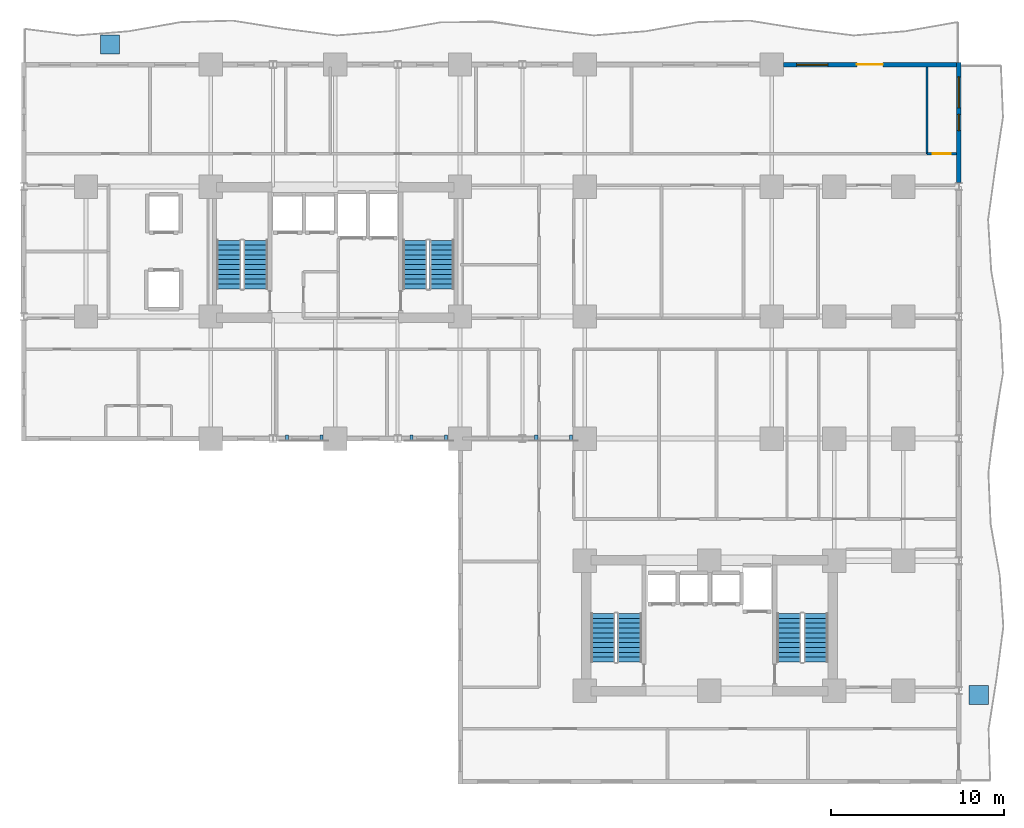
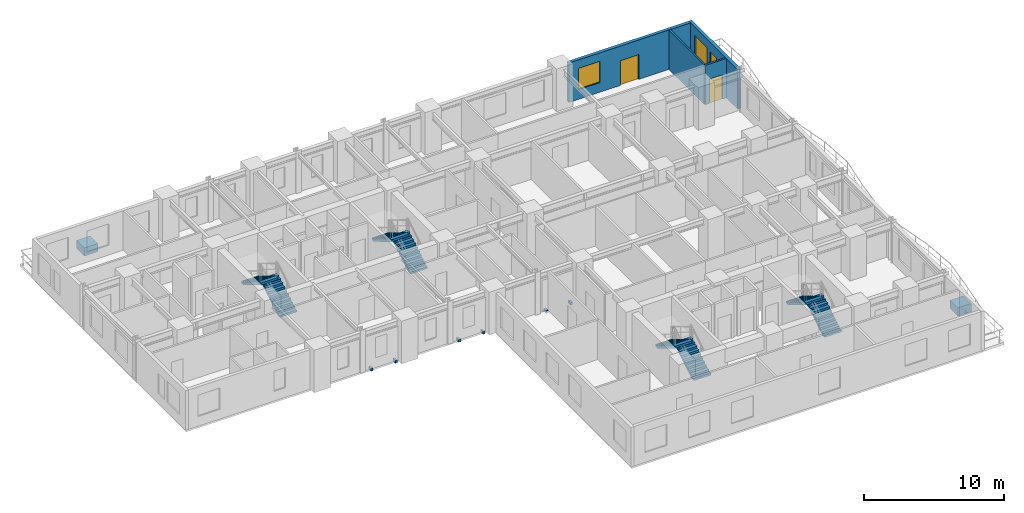
# One storey, part 8 of 11: 8 discrete accessories, 8 stair flights, 4 walls, 3 windows, 2 doors, 5 openings, 4 elements without a shape of their own.
"""IFC4 building model written with IfcOpenShell, lengths in metres."""

from ifc_helpers import new_model, si_unit, direction, frame, frame_2d, origin, origin_2d, place, context, subcontext, project, spatial, polyline, rectangle, outline, extrude, source, transform, mapped, material, layer, layer_set, type_object, element, fill, aggregate, save


model = new_model("IFC4")

# Units and contexts
model_context = context("Model", 3, precision=1e-05, world=origin(), true_north=direction((0.0, 1.0)))
body_context = subcontext(model_context, "Body", "Model", "MODEL_VIEW")
ifc_project = project(units=[si_unit("LENGTHUNIT", "METRE"), si_unit("AREAUNIT", "SQUARE_METRE"), si_unit("VOLUMEUNIT", "CUBIC_METRE"), si_unit("PLANEANGLEUNIT", "RADIAN"), si_unit("MASSUNIT", "GRAM", prefix="KILO")], contexts=[model_context])

# Site, building, storey
site_placement = place(None, origin())
site = spatial("IfcSite", under=ifc_project, at=site_placement, CompositionType="ELEMENT")
building_placement = place(site_placement, origin())
building = spatial("IfcBuilding", under=site, at=building_placement, Name="Kaliganga Portal Commons", CompositionType="ELEMENT")
storey_placement = place(building_placement, frame((0.0, 0.0, 36.39990234375)))
storey = spatial("IfcBuildingStorey", under=building, at=storey_placement, Name="L08", CompositionType="ELEMENT", Elevation=36.39990234375)

# Wall, openings, windows
ifc_material_1 = material(Name="Insulated Aluminium-Clad Spandrel Assembly", Category="aluminium")
ifc_layer_1 = layer(ifc_material_1, 0.260009765625)
ifc_layer_set_1 = layer_set([ifc_layer_1], Name="Insulated Aluminium-Clad Spandrel Assembly")
wall_type_1 = type_object("IfcWallType", Name="WL-EXT-SPAND-260", PredefinedType="STANDARD", material=ifc_layer_set_1)
wall_1_placement = place(storey_placement, frame((57.60009765625, 43.330078125, 0.0), z_axis=(0.0, 0.0, 1.0), x_axis=(0.0, -1.0, 0.0)))
wall_1 = element("IfcWall", 1, at=wall_1_placement, inside=storey, type_object=wall_type_1, Name="Exterior Envelope Wall L08 P1-E01-S6", PredefinedType="STANDARD", context=body_context, shape_type="SweptSolid", body=[
    extrude(rectangle(XDim=6.9560546875, YDim=0.260009765625, at=frame_2d((3.47802734375, 0.0))), origin(), (0.0, 0.0, 1.0), 3.43017578125),
])
opening_1_placement = place(wall_1_placement, frame((0.839111328125, 0.0, 0.85009765625)))
opening_1 = element("IfcOpeningElement", 2, at=opening_1_placement, cuts=wall_1, Name="Opening W-01", PredefinedType="OPENING", context=body_context, shape_type="SweptSolid", body=[
    extrude(rectangle(XDim=1.800048828125, YDim=1.85009765625, at=frame_2d((0.89990234375, 0.925048828125))), frame((0.0, 0.14013671875, 0.0), z_axis=(0.0, -1.0, 0.0), x_axis=(1.0, 0.0, 0.0)), (0.0, 0.0, 1.0), 0.280029296875),
])
opening_2_placement = place(wall_1_placement, frame((3.0029296875, 0.0, 0.85009765625)))
opening_2 = element("IfcOpeningElement", 3, at=opening_2_placement, cuts=wall_1, Name="Opening W-04", PredefinedType="OPENING", context=body_context, shape_type="SweptSolid", body=[
    extrude(rectangle(XDim=0.949951171875, YDim=1.75, at=frame_2d((0.47509765625, 0.875))), frame((0.0, 0.14013671875, 0.0), z_axis=(0.0, -1.0, 0.0), x_axis=(1.0, 0.0, 0.0)), (0.0, 0.0, 1.0), 0.280029296875),
])
ifc_material_2 = material(Name="Thermally Broken Aluminium and Low-E Double Glazing", Category="aluminium")
window_type_1 = type_object("IfcWindowType", Name="WIN-NARROW-950", PartitioningType="SINGLE_PANEL", PredefinedType="WINDOW", material=ifc_material_2)
window_1_placement = place(opening_2_placement, origin())
window_1 = element("IfcWindow", 4, at=window_1_placement, inside=storey, type_object=window_type_1, Name="Facade Window L08-P1E01S6-N0", OverallHeight=1.75, OverallWidth=0.949951171875, PartitioningType="SINGLE_PANEL", PredefinedType="WINDOW", context=body_context, shape_type="SweptSolid", body=[
    extrude(rectangle(XDim=0.949951171875, YDim=1.75, at=frame_2d((0.47509765625, 0.875))), frame((0.0, 0.030029296875, 0.0), z_axis=(0.0, -1.0, 0.0), x_axis=(1.0, 0.0, 0.0)), (0.0, 0.0, 1.0), 0.06005859375),
])
fill(opening_2, window_1)
window_type_2 = type_object("IfcWindowType", Name="WIN-STD-1800", PartitioningType="DOUBLE_PANEL_VERTICAL", PredefinedType="WINDOW", material=ifc_material_2)
window_2_placement = place(opening_1_placement, origin())
window_2 = element("IfcWindow", 5, at=window_2_placement, inside=storey, type_object=window_type_2, Name="Facade Window L08-P1E01S6-00", OverallHeight=1.85009765625, OverallWidth=1.800048828125, PartitioningType="SINGLE_PANEL", PredefinedType="WINDOW", context=body_context, shape_type="SweptSolid", body=[
    extrude(rectangle(XDim=1.800048828125, YDim=1.85009765625, at=frame_2d((0.89990234375, 0.925048828125))), frame((0.0, 0.030029296875, 0.0), z_axis=(0.0, -1.0, 0.0), x_axis=(1.0, 0.0, 0.0)), (0.0, 0.0, 1.0), 0.06005859375),
])
fill(opening_1, window_2)

# Wall, openings, door, window
wall_2_placement = place(storey_placement, frame((47.47607421875, 43.199951171875, 0.0), z_axis=(0.0, 0.0, 1.0), x_axis=(1.0, 0.0, 0.0)))
wall_2 = element("IfcWall", 6, at=wall_2_placement, inside=storey, type_object=wall_type_1, Name="Exterior Envelope Wall L08 P1-E02-S1", PredefinedType="STANDARD", context=body_context, shape_type="SweptSolid", body=[
    extrude(rectangle(XDim=9.989013671875, YDim=0.260009765625, at=frame_2d((4.99462890625, 0.0))), origin(), (0.0, 0.0, 1.0), 3.43017578125),
])
opening_3_placement = place(wall_2_placement, frame((4.2451171875, 0.0, 0.0)))
opening_3 = element("IfcOpeningElement", 7, at=opening_3_placement, cuts=wall_2, Name="Opening BD-01", PredefinedType="OPENING", context=body_context, shape_type="SweptSolid", body=[
    extrude(rectangle(XDim=1.5, YDim=2.14990234375, at=frame_2d((0.75, 1.074951171875))), frame((0.0, 0.14013671875, 0.0), z_axis=(0.0, -1.0, 0.0), x_axis=(1.0, 0.0, 0.0)), (0.0, 0.0, 1.0), 0.280029296875),
])
opening_4_placement = place(wall_2_placement, frame((0.764892578125, 0.0, 0.85009765625)))
opening_4 = element("IfcOpeningElement", 8, at=opening_4_placement, cuts=wall_2, Name="Opening W-01", PredefinedType="OPENING", context=body_context, shape_type="SweptSolid", body=[
    extrude(rectangle(XDim=1.800048828125, YDim=1.85009765625, at=frame_2d((0.89990234375, 0.925048828125))), frame((0.0, 0.14013671875, 0.0), z_axis=(0.0, -1.0, 0.0), x_axis=(1.0, 0.0, 0.0)), (0.0, 0.0, 1.0), 0.280029296875),
])
ifc_material_3 = material(Name="Anodized Aluminium and Laminated Safety Glass", Category="aluminium")
door_type_1 = type_object("IfcDoorType", Name="DR-BALC-1500", OperationType="SLIDING_TO_LEFT", PredefinedType="DOOR", material=ifc_material_3)
door_1_placement = place(opening_3_placement, origin())
door_1 = element("IfcDoor", 9, at=door_1_placement, inside=storey, type_object=door_type_1, Name="Balcony Sliding Door L08 balc_north", OperationType="SLIDING_TO_LEFT", OverallHeight=2.14990234375, OverallWidth=1.5, PredefinedType="DOOR", context=body_context, shape_type="SweptSolid", body=[
    extrude(rectangle(XDim=1.5, YDim=2.14990234375, at=frame_2d((0.75, 1.074951171875))), frame((0.0, 0.02490234375, 0.0), z_axis=(0.0, -1.0, 0.0), x_axis=(1.0, 0.0, 0.0)), (0.0, 0.0, 1.0), 0.050048828125),
])
fill(opening_3, door_1)
window_3_placement = place(opening_4_placement, origin())
window_3 = element("IfcWindow", 10, at=window_3_placement, inside=storey, type_object=window_type_2, Name="Facade Window L08-P1E02S1-00", OverallHeight=1.85009765625, OverallWidth=1.800048828125, PartitioningType="SINGLE_PANEL", PredefinedType="WINDOW", context=body_context, shape_type="SweptSolid", body=[
    extrude(rectangle(XDim=1.800048828125, YDim=1.85009765625, at=frame_2d((0.89990234375, 0.925048828125))), frame((0.0, 0.030029296875, 0.0), z_axis=(0.0, -1.0, 0.0), x_axis=(1.0, 0.0, 0.0)), (0.0, 0.0, 1.0), 0.06005859375),
])
fill(opening_4, window_3)

# Wall, opening, door
ifc_material_4 = material(Name="Fire-Rated Gypsum Board on Steel Stud", Category="steel")
ifc_layer_2 = layer(ifc_material_4, 0.14990234375)
ifc_layer_set_2 = layer_set([ifc_layer_2], Name="Fire-Rated Gypsum Board on Steel Stud")
wall_type_2 = type_object("IfcWallType", Name="WL-PART-CORR-150", PredefinedType="PARTITIONING", material=ifc_layer_set_2)
wall_3_placement = place(storey_placement, frame((55.760009765625, 38.0400390625, 0.0), z_axis=(0.0, 0.0, 1.0), x_axis=(1.0, 0.0, 0.0)))
wall_3 = element("IfcWall", 11, at=wall_3_placement, inside=storey, type_object=wall_type_2, Name="Interior Partition L08-057", PredefinedType="PARTITIONING", context=body_context, shape_type="SweptSolid", body=[
    extrude(rectangle(XDim=1.7080078125, YDim=0.14990234375, at=frame_2d((0.85400390625, 0.0))), origin(), (0.0, 0.0, 1.0), 3.43017578125),
])
opening_5_placement = place(wall_3_placement, frame((0.3291015625, 0.0, 0.0)))
opening_5 = element("IfcOpeningElement", 12, at=opening_5_placement, cuts=wall_3, Name="Opening UD-02", PredefinedType="OPENING", context=body_context, shape_type="SweptSolid", body=[
    extrude(rectangle(XDim=1.050048828125, YDim=2.1201171875, at=frame_2d((0.52490234375, 1.06005859375))), frame((0.0, 0.0849609375, 0.0), z_axis=(0.0, -1.0, 0.0), x_axis=(1.0, 0.0, 0.0)), (0.0, 0.0, 1.0), 0.169921875),
])
ifc_material_5 = material(Name="Accessible Wide-Leaf Acoustic Fire Door", Category="wood")
door_type_2 = type_object("IfcDoorType", Name="DR-ACC-1050", OperationType="NOTDEFINED", PredefinedType="DOOR", material=ifc_material_5)
door_2_placement = place(opening_5_placement, origin())
door_2 = element("IfcDoor", 13, at=door_2_placement, inside=storey, type_object=door_type_2, Name="Interior Door L08-AN07", OperationType="SINGLE_SWING_LEFT", OverallHeight=2.1201171875, OverallWidth=1.050048828125, PredefinedType="DOOR", context=body_context, shape_type="SweptSolid", body=[
    extrude(rectangle(XDim=1.050048828125, YDim=2.1201171875, at=frame_2d((0.52490234375, 1.06005859375))), frame((0.0, 0.02490234375, 0.0), z_axis=(0.0, -1.0, 0.0), x_axis=(1.0, 0.0, 0.0)), (0.0, 0.0, 1.0), 0.050048828125),
])
fill(opening_5, door_2)

# Wall
ifc_material_6 = material(Name="Cement-Board Wet-Room Partition", Category="gypsum")
ifc_layer_3 = layer(ifc_material_6, 0.135009765625)
ifc_layer_set_3 = layer_set([ifc_layer_3], Name="Cement-Board Wet-Room Partition")
wall_type_3 = type_object("IfcWallType", Name="WL-PART-WET-135", PredefinedType="PARTITIONING", material=ifc_layer_set_3)
wall_4_placement = place(storey_placement, frame((55.760009765625, 38.0400390625, 0.0), z_axis=(0.0, 0.0, 1.0), x_axis=(0.0, 1.0, 0.0)))
element("IfcWall", 14, at=wall_4_placement, inside=storey, type_object=wall_type_3, Name="Interior Partition L08-074", PredefinedType="PARTITIONING", context=body_context, shape_type="SweptSolid", body=[
    extrude(rectangle(XDim=5.028076171875, YDim=0.135009765625, at=frame_2d((2.51416015625, 0.0))), origin(), (0.0, 0.0, 1.0), 3.43017578125),
])

# Stair, stair flights
ifc_material_7 = material(Name="Concrete C40/50", Category="concrete")
stair_type = type_object("IfcStairType", Name="ST-CORE-DOGLEG", PredefinedType="HALF_TURN_STAIR", material=ifc_material_7)
stair_1_placement = place(storey_placement, origin())
stair_1 = element("IfcStair", 15, at=stair_1_placement, inside=storey, type_object=stair_type, Name="L08 Protected Exit Stair ST-A1", PredefinedType="HALF_TURN_STAIR")
stair_flight_type = type_object("IfcStairFlightType", Name="STF-RC-1400", PredefinedType="STRAIGHT", material=ifc_material_7)
stair_flight_1_placement = place(storey_placement, frame((17.0, 30.25, 0.0), z_axis=(0.0, 0.0, 1.0), x_axis=(0.0, 1.0, 0.0)))
stair_flight_1 = element("IfcStairFlight", 16, at=stair_flight_1_placement, type_object=stair_flight_type, Name="ST-A1 flight 1", NumberOfRisers=11, NumberOfTreads=10, PredefinedType="STRAIGHT", RiserHeight=0.168181818, TreadLength=0.28, context=body_context, shape_type="SweptSolid", body=[
    extrude(outline(polyline([(0.0, 0.0), (0.0, 0.168212890625), (0.280029296875, 0.168212890625), (0.280029296875, 0.33642578125), (0.56005859375, 0.33642578125), (0.56005859375, 0.504638671875), (0.840087890625, 0.504638671875), (0.840087890625, 0.672607421875), (1.1201171875, 0.672607421875), (1.1201171875, 0.8408203125), (1.39990234375, 0.8408203125), (1.39990234375, 1.009033203125), (1.679931640625, 1.009033203125), (1.679931640625, 1.17724609375), (1.9599609375, 1.17724609375), (1.9599609375, 1.345458984375), (2.239990234375, 1.345458984375), (2.239990234375, 1.513671875), (2.52001953125, 1.513671875), (2.52001953125, 1.681884765625), (2.800048828125, 1.681884765625), (2.800048828125, 1.85009765625), (2.800048828125, 1.5068359375), (0.291015625, 0.0), (0.0, 0.0)])), frame((0.0, 0.699951171875, 0.0), z_axis=(0.0, -1.0, 0.0), x_axis=(1.0, 0.0, 0.0)), (0.0, 0.0, 1.0), 1.39990234375),
])
stair_flight_2_placement = place(storey_placement, frame((15.449951171875, 33.050048828125, 1.85009765625), z_axis=(0.0, 0.0, 1.0), x_axis=(0.0, -1.0, 0.0)))
stair_flight_2 = element("IfcStairFlight", 17, at=stair_flight_2_placement, type_object=stair_flight_type, Name="ST-A1 flight 2", NumberOfRisers=11, NumberOfTreads=10, PredefinedType="STRAIGHT", RiserHeight=0.168181818, TreadLength=0.28, context=body_context, shape_type="SweptSolid", body=[
    extrude(outline(polyline([(0.0, 0.0), (0.0, 0.168212890625), (0.280029296875, 0.168212890625), (0.280029296875, 0.33642578125), (0.56005859375, 0.33642578125), (0.56005859375, 0.504638671875), (0.840087890625, 0.504638671875), (0.840087890625, 0.672607421875), (1.1201171875, 0.672607421875), (1.1201171875, 0.8408203125), (1.39990234375, 0.8408203125), (1.39990234375, 1.009033203125), (1.679931640625, 1.009033203125), (1.679931640625, 1.17724609375), (1.9599609375, 1.17724609375), (1.9599609375, 1.345458984375), (2.239990234375, 1.345458984375), (2.239990234375, 1.513671875), (2.52001953125, 1.513671875), (2.52001953125, 1.681884765625), (2.800048828125, 1.681884765625), (2.800048828125, 1.85009765625), (2.800048828125, 1.5068359375), (0.291015625, 0.0), (0.0, 0.0)])), frame((0.0, 0.699951171875, 0.0), z_axis=(0.0, -1.0, 0.0), x_axis=(1.0, 0.0, 0.0)), (0.0, 0.0, 1.0), 1.39990234375),
])
aggregate(stair_1, [stair_flight_1, stair_flight_2])

stair_2_placement = place(storey_placement, origin())
stair_2 = element("IfcStair", 18, at=stair_2_placement, inside=storey, type_object=stair_type, Name="L08 Protected Exit Stair ST-A2", PredefinedType="HALF_TURN_STAIR")
stair_flight_3_placement = place(storey_placement, frame((27.75, 30.25, 0.0), z_axis=(0.0, 0.0, 1.0), x_axis=(0.0, 1.0, 0.0)))
stair_flight_3 = element("IfcStairFlight", 19, at=stair_flight_3_placement, type_object=stair_flight_type, Name="ST-A2 flight 1", NumberOfRisers=11, NumberOfTreads=10, PredefinedType="STRAIGHT", RiserHeight=0.168181818, TreadLength=0.28, context=body_context, shape_type="SweptSolid", body=[
    extrude(outline(polyline([(0.0, 0.0), (0.0, 0.168212890625), (0.280029296875, 0.168212890625), (0.280029296875, 0.33642578125), (0.56005859375, 0.33642578125), (0.56005859375, 0.504638671875), (0.840087890625, 0.504638671875), (0.840087890625, 0.672607421875), (1.1201171875, 0.672607421875), (1.1201171875, 0.8408203125), (1.39990234375, 0.8408203125), (1.39990234375, 1.009033203125), (1.679931640625, 1.009033203125), (1.679931640625, 1.17724609375), (1.9599609375, 1.17724609375), (1.9599609375, 1.345458984375), (2.239990234375, 1.345458984375), (2.239990234375, 1.513671875), (2.52001953125, 1.513671875), (2.52001953125, 1.681884765625), (2.800048828125, 1.681884765625), (2.800048828125, 1.85009765625), (2.800048828125, 1.5068359375), (0.291015625, 0.0), (0.0, 0.0)])), frame((0.0, 0.699951171875, 0.0), z_axis=(0.0, -1.0, 0.0), x_axis=(1.0, 0.0, 0.0)), (0.0, 0.0, 1.0), 1.39990234375),
])
stair_flight_4_placement = place(storey_placement, frame((26.199951171875, 33.050048828125, 1.85009765625), z_axis=(0.0, 0.0, 1.0), x_axis=(0.0, -1.0, 0.0)))
stair_flight_4 = element("IfcStairFlight", 20, at=stair_flight_4_placement, type_object=stair_flight_type, Name="ST-A2 flight 2", NumberOfRisers=11, NumberOfTreads=10, PredefinedType="STRAIGHT", RiserHeight=0.168181818, TreadLength=0.28, context=body_context, shape_type="SweptSolid", body=[
    extrude(outline(polyline([(0.0, 0.0), (0.0, 0.168212890625), (0.280029296875, 0.168212890625), (0.280029296875, 0.33642578125), (0.56005859375, 0.33642578125), (0.56005859375, 0.504638671875), (0.840087890625, 0.504638671875), (0.840087890625, 0.672607421875), (1.1201171875, 0.672607421875), (1.1201171875, 0.8408203125), (1.39990234375, 0.8408203125), (1.39990234375, 1.009033203125), (1.679931640625, 1.009033203125), (1.679931640625, 1.17724609375), (1.9599609375, 1.17724609375), (1.9599609375, 1.345458984375), (2.239990234375, 1.345458984375), (2.239990234375, 1.513671875), (2.52001953125, 1.513671875), (2.52001953125, 1.681884765625), (2.800048828125, 1.681884765625), (2.800048828125, 1.85009765625), (2.800048828125, 1.5068359375), (0.291015625, 0.0), (0.0, 0.0)])), frame((0.0, 0.699951171875, 0.0), z_axis=(0.0, -1.0, 0.0), x_axis=(1.0, 0.0, 0.0)), (0.0, 0.0, 1.0), 1.39990234375),
])
aggregate(stair_2, [stair_flight_3, stair_flight_4])

stair_3_placement = place(storey_placement, origin())
stair_3 = element("IfcStair", 21, at=stair_3_placement, inside=storey, type_object=stair_type, Name="L08 Protected Exit Stair ST-B1", PredefinedType="HALF_TURN_STAIR")
stair_flight_5_placement = place(storey_placement, frame((38.60009765625, 8.699951171875, 0.0), z_axis=(0.0, 0.0, 1.0), x_axis=(0.0, 1.0, 0.0)))
stair_flight_5 = element("IfcStairFlight", 22, at=stair_flight_5_placement, type_object=stair_flight_type, Name="ST-B1 flight 1", NumberOfRisers=11, NumberOfTreads=10, PredefinedType="STRAIGHT", RiserHeight=0.168181818, TreadLength=0.28, context=body_context, shape_type="SweptSolid", body=[
    extrude(outline(polyline([(0.0, 0.0), (0.0, 0.168212890625), (0.280029296875, 0.168212890625), (0.280029296875, 0.33642578125), (0.56005859375, 0.33642578125), (0.56005859375, 0.504638671875), (0.840087890625, 0.504638671875), (0.840087890625, 0.672607421875), (1.1201171875, 0.672607421875), (1.1201171875, 0.8408203125), (1.39990234375, 0.8408203125), (1.39990234375, 1.009033203125), (1.679931640625, 1.009033203125), (1.679931640625, 1.17724609375), (1.9599609375, 1.17724609375), (1.9599609375, 1.345458984375), (2.239990234375, 1.345458984375), (2.239990234375, 1.513671875), (2.52001953125, 1.513671875), (2.52001953125, 1.681884765625), (2.800048828125, 1.681884765625), (2.800048828125, 1.85009765625), (2.800048828125, 1.5068359375), (0.291015625, 0.0), (0.0, 0.0)])), frame((0.0, 0.699951171875, 0.0), z_axis=(0.0, -1.0, 0.0), x_axis=(1.0, 0.0, 0.0)), (0.0, 0.0, 1.0), 1.39990234375),
])
stair_flight_6_placement = place(storey_placement, frame((37.050048828125, 11.5, 1.85009765625), z_axis=(0.0, 0.0, 1.0), x_axis=(0.0, -1.0, 0.0)))
stair_flight_6 = element("IfcStairFlight", 23, at=stair_flight_6_placement, type_object=stair_flight_type, Name="ST-B1 flight 2", NumberOfRisers=11, NumberOfTreads=10, PredefinedType="STRAIGHT", RiserHeight=0.168181818, TreadLength=0.28, context=body_context, shape_type="SweptSolid", body=[
    extrude(outline(polyline([(0.0, 0.0), (0.0, 0.168212890625), (0.280029296875, 0.168212890625), (0.280029296875, 0.33642578125), (0.56005859375, 0.33642578125), (0.56005859375, 0.504638671875), (0.840087890625, 0.504638671875), (0.840087890625, 0.672607421875), (1.1201171875, 0.672607421875), (1.1201171875, 0.8408203125), (1.39990234375, 0.8408203125), (1.39990234375, 1.009033203125), (1.679931640625, 1.009033203125), (1.679931640625, 1.17724609375), (1.9599609375, 1.17724609375), (1.9599609375, 1.345458984375), (2.239990234375, 1.345458984375), (2.239990234375, 1.513671875), (2.52001953125, 1.513671875), (2.52001953125, 1.681884765625), (2.800048828125, 1.681884765625), (2.800048828125, 1.85009765625), (2.800048828125, 1.5068359375), (0.291015625, 0.0), (0.0, 0.0)])), frame((0.0, 0.699951171875, 0.0), z_axis=(0.0, -1.0, 0.0), x_axis=(1.0, 0.0, 0.0)), (0.0, 0.0, 1.0), 1.39990234375),
])
aggregate(stair_3, [stair_flight_5, stair_flight_6])

stair_4_placement = place(storey_placement, origin())
stair_4 = element("IfcStair", 24, at=stair_4_placement, inside=storey, type_object=stair_type, Name="L08 Protected Exit Stair ST-B2", PredefinedType="HALF_TURN_STAIR")
stair_flight_7_placement = place(storey_placement, frame((49.35009765625, 8.699951171875, 0.0), z_axis=(0.0, 0.0, 1.0), x_axis=(0.0, 1.0, 0.0)))
stair_flight_7 = element("IfcStairFlight", 25, at=stair_flight_7_placement, type_object=stair_flight_type, Name="ST-B2 flight 1", NumberOfRisers=11, NumberOfTreads=10, PredefinedType="STRAIGHT", RiserHeight=0.168181818, TreadLength=0.28, context=body_context, shape_type="SweptSolid", body=[
    extrude(outline(polyline([(0.0, 0.0), (0.0, 0.168212890625), (0.280029296875, 0.168212890625), (0.280029296875, 0.33642578125), (0.56005859375, 0.33642578125), (0.56005859375, 0.504638671875), (0.840087890625, 0.504638671875), (0.840087890625, 0.672607421875), (1.1201171875, 0.672607421875), (1.1201171875, 0.8408203125), (1.39990234375, 0.8408203125), (1.39990234375, 1.009033203125), (1.679931640625, 1.009033203125), (1.679931640625, 1.17724609375), (1.9599609375, 1.17724609375), (1.9599609375, 1.345458984375), (2.239990234375, 1.345458984375), (2.239990234375, 1.513671875), (2.52001953125, 1.513671875), (2.52001953125, 1.681884765625), (2.800048828125, 1.681884765625), (2.800048828125, 1.85009765625), (2.800048828125, 1.5068359375), (0.291015625, 0.0), (0.0, 0.0)])), frame((0.0, 0.699951171875, 0.0), z_axis=(0.0, -1.0, 0.0), x_axis=(1.0, 0.0, 0.0)), (0.0, 0.0, 1.0), 1.39990234375),
])
stair_flight_8_placement = place(storey_placement, frame((47.800048828125, 11.5, 1.85009765625), z_axis=(0.0, 0.0, 1.0), x_axis=(0.0, -1.0, 0.0)))
stair_flight_8 = element("IfcStairFlight", 26, at=stair_flight_8_placement, type_object=stair_flight_type, Name="ST-B2 flight 2", NumberOfRisers=11, NumberOfTreads=10, PredefinedType="STRAIGHT", RiserHeight=0.168181818, TreadLength=0.28, context=body_context, shape_type="SweptSolid", body=[
    extrude(outline(polyline([(0.0, 0.0), (0.0, 0.168212890625), (0.280029296875, 0.168212890625), (0.280029296875, 0.33642578125), (0.56005859375, 0.33642578125), (0.56005859375, 0.504638671875), (0.840087890625, 0.504638671875), (0.840087890625, 0.672607421875), (1.1201171875, 0.672607421875), (1.1201171875, 0.8408203125), (1.39990234375, 0.8408203125), (1.39990234375, 1.009033203125), (1.679931640625, 1.009033203125), (1.679931640625, 1.17724609375), (1.9599609375, 1.17724609375), (1.9599609375, 1.345458984375), (2.239990234375, 1.345458984375), (2.239990234375, 1.513671875), (2.52001953125, 1.513671875), (2.52001953125, 1.681884765625), (2.800048828125, 1.681884765625), (2.800048828125, 1.85009765625), (2.800048828125, 1.5068359375), (0.291015625, 0.0), (0.0, 0.0)])), frame((0.0, 0.699951171875, 0.0), z_axis=(0.0, -1.0, 0.0), x_axis=(1.0, 0.0, 0.0)), (0.0, 0.0, 1.0), 1.39990234375),
])
aggregate(stair_4, [stair_flight_7, stair_flight_8])

# Discrete accessories
ifc_material_8 = material(Name="Precast concrete C40/50", Category="concrete")
discrete_accessory_type_1 = type_object("IfcDiscreteAccessoryType", Name="DAC-PLANTER-RC", PredefinedType="USERDEFINED", material=ifc_material_8)
shared_shape_1 = source(origin(), body_context, "Body", "SweptSolid", [
    extrude(rectangle(XDim=1.10009765625, YDim=1.10009765625, at=origin_2d()), origin(), (0.0, 0.0, 1.0), 0.719970703125),
])
for number, where, z_axis, x_axis, name in (
    (27, (8.60009765625, 44.35009765625, 0.0), (0.0, 0.0, 1.0), (1.0, 0.0, 0.0), "Structural Tree Planter L08 balc_north"),
    (28, (58.75, 6.800048828125, 0.0), (0.0, 0.0, 1.0), (1.0, 0.0, 0.0), "Structural Tree Planter L08 balc_east"),
):
    element("IfcDiscreteAccessory", number, at=place(storey_placement, frame(where, z_axis=z_axis, x_axis=x_axis)), inside=storey, type_object=discrete_accessory_type_1, Name=name, ObjectType="PLANTER", PredefinedType="USERDEFINED", context=body_context, shape_type="MappedRepresentation", body=[
        mapped(shared_shape_1, transform((0.0, 0.0, 0.0), x_axis=(1.0, 0.0, 0.0), y_axis=(0.0, 1.0, 0.0), z_axis=(0.0, 0.0, 1.0), scale=1.0)),
    ])
ifc_material_9 = material(Name="Structural steel S355J2", Category="steel")
discrete_accessory_type_2 = type_object("IfcDiscreteAccessoryType", Name="DAC-BRK-SCR", PredefinedType="BRACKET", material=ifc_material_9)
shared_shape_2 = source(origin(), body_context, "Body", "SweptSolid", [
    extrude(rectangle(XDim=0.179931640625, YDim=0.360107421875, at=origin_2d()), origin(), (0.0, 0.0, 1.0), 0.219970703125),
])
for number, where, z_axis, x_axis, name in (
    (29, (18.800048828125, 21.6201171875, -0.18994140625), (0.0, 0.0, 1.0), (1.0, 0.0, 0.0), "Solar Screen Outrigger Bracket L08-S1-1"),
    (30, (20.800048828125, 21.6201171875, -0.18994140625), (0.0, 0.0, 1.0), (1.0, 0.0, 0.0), "Solar Screen Outrigger Bracket L08-S1-2"),
    (31, (26.0, 21.6201171875, -0.18994140625), (0.0, 0.0, 1.0), (1.0, 0.0, 0.0), "Solar Screen Outrigger Bracket L08-S2-1"),
    (32, (28.0, 21.6201171875, -0.18994140625), (0.0, 0.0, 1.0), (1.0, 0.0, 0.0), "Solar Screen Outrigger Bracket L08-S2-2"),
    (33, (33.199951171875, 21.6201171875, -0.18994140625), (0.0, 0.0, 1.0), (1.0, 0.0, 0.0), "Solar Screen Outrigger Bracket L08-S3-1"),
    (34, (35.199951171875, 21.6201171875, -0.18994140625), (0.0, 0.0, 1.0), (1.0, 0.0, 0.0), "Solar Screen Outrigger Bracket L08-S3-2"),
):
    element("IfcDiscreteAccessory", number, at=place(storey_placement, frame(where, z_axis=z_axis, x_axis=x_axis)), inside=storey, type_object=discrete_accessory_type_2, Name=name, PredefinedType="BRACKET", context=body_context, shape_type="MappedRepresentation", body=[
        mapped(shared_shape_2, transform((0.0, 0.0, 0.0), x_axis=(1.0, 0.0, 0.0), y_axis=(0.0, 1.0, 0.0), z_axis=(0.0, 0.0, 1.0), scale=1.0)),
    ])

save(model, "model.ifc")
